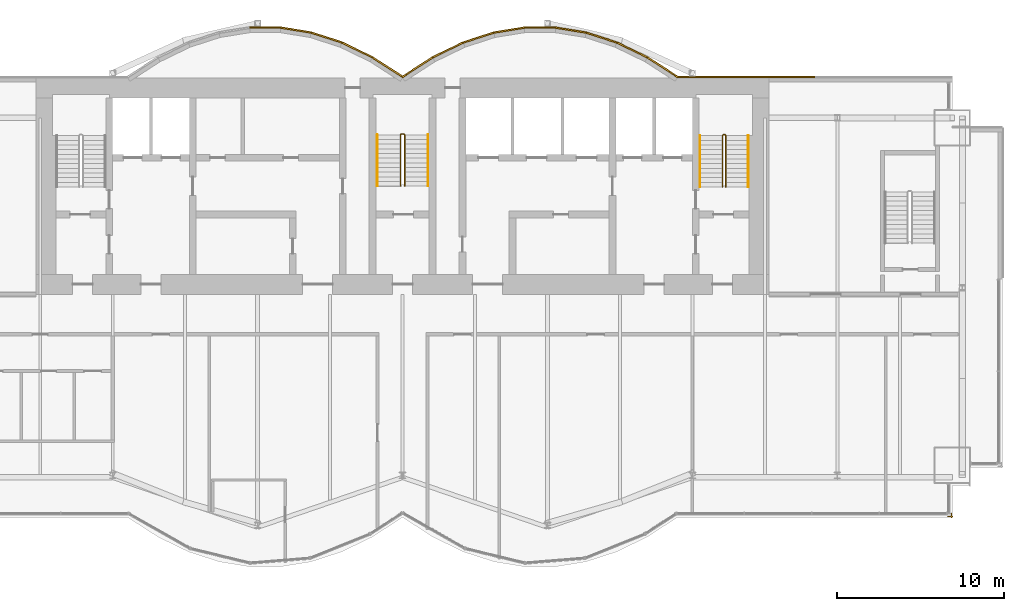
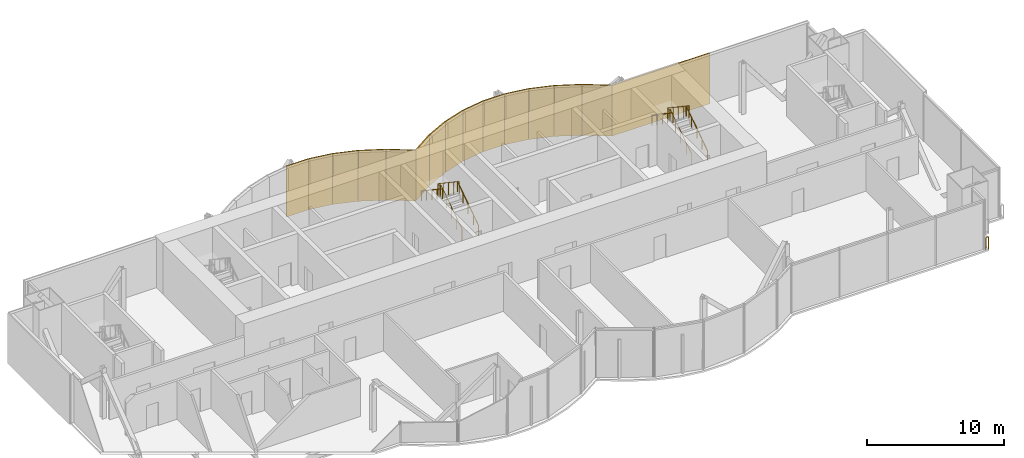
# One storey, part 17 of 18: 15 coverings, 7 railings.
"""IFC4 building model written with IfcOpenShell, lengths in metres."""

from ifc_helpers import new_model, si_unit, direction, frame, origin, origin_2d, place, context, subcontext, project, spatial, rectangle, circle, extrude, material, layer, layer_set, type_object, element, save


model = new_model("IFC4")

# Units and contexts
model_context = context("Model", 3, precision=1e-05, world=origin(), true_north=direction((0.0, 1.0)))
body_context = subcontext(model_context, "Body", "Model", "MODEL_VIEW")
ifc_project = project(units=[si_unit("LENGTHUNIT", "METRE"), si_unit("AREAUNIT", "SQUARE_METRE"), si_unit("VOLUMEUNIT", "CUBIC_METRE"), si_unit("PLANEANGLEUNIT", "RADIAN"), si_unit("MASSUNIT", "GRAM", prefix="KILO")], contexts=[model_context])

# Site, building, storey
site_placement = place(None, origin())
site = spatial("IfcSite", under=ifc_project, at=site_placement, CompositionType="ELEMENT")
building_placement = place(site_placement, origin())
building = spatial("IfcBuilding", under=site, at=building_placement, Name="Bicima Exchange Tower", CompositionType="ELEMENT")
storey_placement = place(building_placement, frame((0.0, 0.0, 311.0)))
storey = spatial("IfcBuildingStorey", under=building, at=storey_placement, Name="L70", CompositionType="ELEMENT", Elevation=311.0)

# Coverings
ifc_material_1 = material(Name="Bronze metal cladding")
ifc_layer_1 = layer(ifc_material_1, 0.004)
ifc_material_2 = material(Name="Ventilated cavity")
ifc_layer_2 = layer(ifc_material_2, 0.06)
ifc_material_3 = material(Name="Galvanised steel rail and mineral wool", Category="steel")
ifc_layer_3 = layer(ifc_material_3, 0.036)
ifc_layer_set = layer_set([ifc_layer_1, ifc_layer_2, ifc_layer_3], Name="Ventilated cavity")
covering_type = type_object("IfcCoveringType", Name="Bronze metal cladding panel 100", PredefinedType="CLADDING", material=ifc_layer_set)
covering_1_placement = place(storey_placement, frame((20.625, 0.050048828125, -0.14990234375), z_axis=(0.0, 0.0, 1.0), x_axis=(-1.0, 0.0, 0.0)))
element("IfcCovering", 1, at=covering_1_placement, inside=storey, type_object=covering_type, Name="Bronze cladding L70 1.2", PredefinedType="CLADDING", context=body_context, shape_type="SweptSolid", body=[
    extrude(rectangle(XDim=8.25, YDim=0.10009765625, at=origin_2d()), origin(), (0.0, 0.0, 1.0), 4.5),
])
covering_2_placement = place(storey_placement, frame((15.610595703125, 0.634521484375, -0.14990234375), z_axis=(0.0, 0.0, 1.0), x_axis=(-0.839790466384, 0.542910648791, 0.0)))
element("IfcCovering", 2, at=covering_2_placement, inside=storey, type_object=covering_type, Name="Bronze cladding L70 2.1", PredefinedType="CLADDING", context=body_context, shape_type="SweptSolid", body=[
    extrude(rectangle(XDim=2.18310546875, YDim=0.10009765625, at=origin_2d()), origin(), (0.0, 0.0, 1.0), 4.5),
])
covering_3_placement = place(storey_placement, frame((13.771728515625, 1.674560546875, -0.14990234375), z_axis=(0.0, 0.0, 1.0), x_axis=(-0.899818346812, 0.436264762204, 0.0)))
element("IfcCovering", 3, at=covering_3_placement, inside=storey, type_object=covering_type, Name="Bronze cladding L70 3.1", PredefinedType="CLADDING", context=body_context, shape_type="SweptSolid", body=[
    extrude(rectangle(XDim=2.03759765625, YDim=0.10009765625, at=origin_2d()), origin(), (0.0, 0.0, 1.0), 4.5),
])
covering_4_placement = place(storey_placement, frame((11.931884765625, 2.41796875, -0.14990234375), z_axis=(0.0, 0.0, 1.0), x_axis=(-0.951524642381, 0.307572519808, 0.0)))
element("IfcCovering", 4, at=covering_4_placement, inside=storey, type_object=covering_type, Name="Bronze cladding L70 4.1", PredefinedType="CLADDING", context=body_context, shape_type="SweptSolid", body=[
    extrude(rectangle(XDim=1.9267578125, YDim=0.10009765625, at=origin_2d()), origin(), (0.0, 0.0, 1.0), 4.5),
])
covering_5_placement = place(storey_placement, frame((10.09130859375, 2.8642578125, -0.14990234375), z_axis=(0.0, 0.0, 1.0), x_axis=(-0.987189786347, 0.159550386184, 0.0)))
element("IfcCovering", 5, at=covering_5_placement, inside=storey, type_object=covering_type, Name="Bronze cladding L70 5.1", PredefinedType="CLADDING", context=body_context, shape_type="SweptSolid", body=[
    extrude(rectangle(XDim=1.857177734375, YDim=0.10009765625, at=origin_2d()), origin(), (0.0, 0.0, 1.0), 4.5),
])
covering_6_placement = place(storey_placement, frame((8.25, 3.012939453125, -0.14990234375), z_axis=(0.0, 0.0, 1.0), x_axis=(-1.0, 0.0, 0.0)))
element("IfcCovering", 6, at=covering_6_placement, inside=storey, type_object=covering_type, Name="Bronze cladding L70 6.1", PredefinedType="CLADDING", context=body_context, shape_type="SweptSolid", body=[
    extrude(rectangle(XDim=1.83349609375, YDim=0.10009765625, at=origin_2d()), origin(), (0.0, 0.0, 1.0), 4.5),
])
covering_7_placement = place(storey_placement, frame((6.40869140625, 2.8642578125, -0.14990234375), z_axis=(0.0, 0.0, 1.0), x_axis=(-0.987189786347, -0.159550386184, 0.0)))
element("IfcCovering", 7, at=covering_7_placement, inside=storey, type_object=covering_type, Name="Bronze cladding L70 7.1", PredefinedType="CLADDING", context=body_context, shape_type="SweptSolid", body=[
    extrude(rectangle(XDim=1.857177734375, YDim=0.10009765625, at=origin_2d()), origin(), (0.0, 0.0, 1.0), 4.5),
])
covering_8_placement = place(storey_placement, frame((4.568115234375, 2.41796875, -0.14990234375), z_axis=(0.0, 0.0, 1.0), x_axis=(-0.951524642381, -0.307572519808, 0.0)))
element("IfcCovering", 8, at=covering_8_placement, inside=storey, type_object=covering_type, Name="Bronze cladding L70 8.1", PredefinedType="CLADDING", context=body_context, shape_type="SweptSolid", body=[
    extrude(rectangle(XDim=1.9267578125, YDim=0.10009765625, at=origin_2d()), origin(), (0.0, 0.0, 1.0), 4.5),
])
covering_9_placement = place(storey_placement, frame((2.728271484375, 1.674560546875, -0.14990234375), z_axis=(0.0, 0.0, 1.0), x_axis=(-0.899818346812, -0.436264762204, 0.0)))
element("IfcCovering", 9, at=covering_9_placement, inside=storey, type_object=covering_type, Name="Bronze cladding L70 9.1", PredefinedType="CLADDING", context=body_context, shape_type="SweptSolid", body=[
    extrude(rectangle(XDim=2.03759765625, YDim=0.10009765625, at=origin_2d()), origin(), (0.0, 0.0, 1.0), 4.5),
])
for number, where, z_axis, x_axis, name in (
    (10, (0.889404296875, 0.634521484375, -0.14990234375), (0.0, 0.0, 1.0), (-0.839790466384, -0.542910648791, 0.0), "Bronze cladding L70 10.1"),
    (11, (-0.889404296875, 0.634521484375, -0.14990234375), (0.0, 0.0, 1.0), (-0.839790466384, 0.542910648791, 0.0), "Bronze cladding L70 11.1"),
):
    element("IfcCovering", number, at=place(storey_placement, frame(where, z_axis=z_axis, x_axis=x_axis)), inside=storey, type_object=covering_type, Name=name, PredefinedType="CLADDING", context=body_context, shape_type="SweptSolid", body=[
        extrude(rectangle(XDim=2.18310546875, YDim=0.10009765625, at=origin_2d()), origin(), (0.0, 0.0, 1.0), 4.5),
    ])
covering_10_placement = place(storey_placement, frame((-2.728271484375, 1.674560546875, -0.14990234375), z_axis=(0.0, 0.0, 1.0), x_axis=(-0.899818346812, 0.436264762204, 0.0)))
element("IfcCovering", 12, at=covering_10_placement, inside=storey, type_object=covering_type, Name="Bronze cladding L70 12.1", PredefinedType="CLADDING", context=body_context, shape_type="SweptSolid", body=[
    extrude(rectangle(XDim=2.03759765625, YDim=0.10009765625, at=origin_2d()), origin(), (0.0, 0.0, 1.0), 4.5),
])
covering_11_placement = place(storey_placement, frame((-4.568115234375, 2.41796875, -0.14990234375), z_axis=(0.0, 0.0, 1.0), x_axis=(-0.951524642381, 0.307572519808, 0.0)))
element("IfcCovering", 13, at=covering_11_placement, inside=storey, type_object=covering_type, Name="Bronze cladding L70 13.1", PredefinedType="CLADDING", context=body_context, shape_type="SweptSolid", body=[
    extrude(rectangle(XDim=1.9267578125, YDim=0.10009765625, at=origin_2d()), origin(), (0.0, 0.0, 1.0), 4.5),
])
covering_12_placement = place(storey_placement, frame((-6.40869140625, 2.8642578125, -0.14990234375), z_axis=(0.0, 0.0, 1.0), x_axis=(-0.987189786347, 0.159550386184, 0.0)))
element("IfcCovering", 14, at=covering_12_placement, inside=storey, type_object=covering_type, Name="Bronze cladding L70 14.1", PredefinedType="CLADDING", context=body_context, shape_type="SweptSolid", body=[
    extrude(rectangle(XDim=1.857177734375, YDim=0.10009765625, at=origin_2d()), origin(), (0.0, 0.0, 1.0), 4.5),
])
covering_13_placement = place(storey_placement, frame((-8.25, 3.012939453125, -0.14990234375), z_axis=(0.0, 0.0, 1.0), x_axis=(-1.0, 0.0, 0.0)))
element("IfcCovering", 15, at=covering_13_placement, inside=storey, type_object=covering_type, Name="Bronze cladding L70 15.1", PredefinedType="CLADDING", context=body_context, shape_type="SweptSolid", body=[
    extrude(rectangle(XDim=1.83349609375, YDim=0.10009765625, at=origin_2d()), origin(), (0.0, 0.0, 1.0), 4.5),
])

# Railings
ifc_material_4 = material(Name="Stainless steel and bonded safety glass", Category="steel")
railing_type_1 = type_object("IfcRailingType", Name="Edge guard 1100", PredefinedType="GUARDRAIL", material=ifc_material_4)
railing_1_placement = place(storey_placement, frame((32.949951171875, -26.14599609375, 0.0)))
element("IfcRailing", 16, at=railing_1_placement, inside=storey, type_object=railing_type_1, Name="Edge guard L70 364", PredefinedType="GUARDRAIL", context=body_context, shape_type="SweptSolid", body=[
    extrude(circle(Radius=0.02392578125, at=origin_2d()), frame((0.0, 0.0, 1.076171875), z_axis=(0.0, -1.0, 0.0), x_axis=(1.0, 0.0, 0.0)), (0.0, 0.0, 1.0), 0.238037109375),
    extrude(circle(Radius=0.02392578125, at=origin_2d()), frame((0.0, -0.238037109375, 1.076171875), z_axis=(0.707106781187, 0.707106781187, 0.0), x_axis=(-0.707106781187, 0.707106781187, 0.0)), (0.0, 0.0, 1.0), 0.07080078125),
    extrude(circle(Radius=0.02392578125, at=origin_2d()), frame((0.050048828125, -0.18798828125, 1.076171875), z_axis=(-1.0, 0.0, 0.0), x_axis=(0.0, -1.0, 0.0)), (0.0, 0.0, 1.0), 0.25),
    extrude(circle(Radius=0.02099609375, at=origin_2d()), origin(), (0.0, 0.0, 1.0), 1.052001953125),
    extrude(circle(Radius=0.02099609375, at=origin_2d()), frame((0.0, -0.238037109375, 0.0)), (0.0, 0.0, 1.0), 1.052001953125),
    extrude(circle(Radius=0.02099609375, at=origin_2d()), frame((0.050048828125, -0.18798828125, 0.0)), (0.0, 0.0, 1.0), 1.052001953125),
    extrude(circle(Radius=0.02099609375, at=origin_2d()), frame((-0.199951171875, -0.18798828125, 0.0)), (0.0, 0.0, 1.0), 1.052001953125),
])
ifc_material_5 = material(Name="Stainless steel", Category="steel")
railing_type_2 = type_object("IfcRailingType", Name="Stair guard 1100", PredefinedType="GUARDRAIL", material=ifc_material_5)
railing_2_placement = place(storey_placement, frame((0.125, -6.5, 0.1875)))
element("IfcRailing", 17, at=railing_2_placement, inside=storey, type_object=railing_type_2, Name="L70 ST-C stair guard 1", PredefinedType="GUARDRAIL", context=body_context, shape_type="SweptSolid", body=[
    extrude(circle(Radius=0.02392578125, at=origin_2d()), frame((0.0, 0.0, 1.076171875), z_axis=(0.0, 0.830913701846, 0.55640131208), x_axis=(-1.0, 0.0, 0.0)), (0.0, 0.0, 1.0), 3.706787109375),
    extrude(circle(Radius=0.02392578125, at=origin_2d()), frame((0.0, 3.080078125, 3.138671875), z_axis=(-0.708833529934, 0.705375805398, 0.0), x_axis=(-0.705375805398, -0.708833529934, 0.0)), (0.0, 0.0, 1.0), 0.070556640625),
    extrude(circle(Radius=0.02392578125, at=origin_2d()), frame((-0.050048828125, 3.1298828125, 3.138671875), z_axis=(-1.0, 0.0, 0.0), x_axis=(0.0, -1.0, 0.0)), (0.0, 0.0, 1.0), 0.14990234375),
    extrude(circle(Radius=0.02392578125, at=origin_2d()), frame((-0.199951171875, 3.1298828125, 3.138671875), z_axis=(-0.249802250048, -0.248583702486, 0.935844527007), x_axis=(0.705375805398, -0.708833529934, 0.0)), (0.0, 0.0, 1.0), 0.200439453125),
    extrude(circle(Radius=0.02392578125, at=origin_2d()), frame((-0.25, 3.080078125, 3.326171875), z_axis=(0.0, -0.830913701846, 0.55640131208), x_axis=(1.0, 0.0, 0.0)), (0.0, 0.0, 1.0), 3.706787109375),
    extrude(circle(Radius=0.02099609375, at=origin_2d()), origin(), (0.0, 0.0, 1.0), 1.052001953125),
    extrude(circle(Radius=0.02099609375, at=origin_2d()), frame((0.0, 0.77001953125, 0.515625)), (0.0, 0.0, 1.0), 1.052001953125),
    extrude(circle(Radius=0.02099609375, at=origin_2d()), frame((0.0, 1.5400390625, 1.03125)), (0.0, 0.0, 1.0), 1.052001953125),
    extrude(circle(Radius=0.02099609375, at=origin_2d()), frame((0.0, 2.31005859375, 1.546875)), (0.0, 0.0, 1.0), 1.052001953125),
    extrude(circle(Radius=0.02099609375, at=origin_2d()), frame((0.0, 3.080078125, 2.0625)), (0.0, 0.0, 1.0), 1.052001953125),
    extrude(circle(Radius=0.02099609375, at=origin_2d()), frame((-0.050048828125, 3.1298828125, 2.0625)), (0.0, 0.0, 1.0), 1.052001953125),
    extrude(circle(Radius=0.02099609375, at=origin_2d()), frame((-0.199951171875, 3.1298828125, 2.0625)), (0.0, 0.0, 1.0), 1.052001953125),
    extrude(circle(Radius=0.02099609375, at=origin_2d()), frame((-0.25, 3.080078125, 2.25)), (0.0, 0.0, 1.0), 1.052001953125),
    extrude(circle(Radius=0.02099609375, at=origin_2d()), frame((-0.25, 2.31005859375, 2.765625)), (0.0, 0.0, 1.0), 1.052001953125),
    extrude(circle(Radius=0.02099609375, at=origin_2d()), frame((-0.25, 1.5400390625, 3.28125)), (0.0, 0.0, 1.0), 1.052001953125),
    extrude(circle(Radius=0.02099609375, at=origin_2d()), frame((-0.25, 0.77001953125, 3.796875)), (0.0, 0.0, 1.0), 1.052001953125),
    extrude(circle(Radius=0.02099609375, at=origin_2d()), frame((-0.25, 0.0, 4.3125)), (0.0, 0.0, 1.0), 1.052001953125),
])
railing_3_placement = place(storey_placement, frame((19.39990234375, -6.550048828125, 0.1875)))
element("IfcRailing", 18, at=railing_3_placement, inside=storey, type_object=railing_type_2, Name="L70 ST-E stair guard 1", PredefinedType="GUARDRAIL", context=body_context, shape_type="SweptSolid", body=[
    extrude(circle(Radius=0.02392578125, at=origin_2d()), frame((0.0, 0.0, 1.076171875), z_axis=(0.0, 0.830913701846, 0.55640131208), x_axis=(-1.0, 0.0, 0.0)), (0.0, 0.0, 1.0), 3.706787109375),
    extrude(circle(Radius=0.02392578125, at=origin_2d()), frame((0.0, 3.080078125, 3.138671875), z_axis=(-0.705375805398, 0.708833529934, 0.0), x_axis=(-0.708833529934, -0.705375805398, 0.0)), (0.0, 0.0, 1.0), 0.070556640625),
    extrude(circle(Radius=0.02392578125, at=origin_2d()), frame((-0.0498046875, 3.130126953125, 3.138671875), z_axis=(-1.0, 0.0, 0.0), x_axis=(0.0, -1.0, 0.0)), (0.0, 0.0, 1.0), 0.10009765625),
    extrude(circle(Radius=0.02392578125, at=origin_2d()), frame((-0.14990234375, 3.130126953125, 3.138671875), z_axis=(-0.249726431254, -0.249726431254, 0.935560483917), x_axis=(0.707106781187, -0.707106781187, 0.0)), (0.0, 0.0, 1.0), 0.200439453125),
    extrude(circle(Radius=0.02392578125, at=origin_2d()), frame((-0.199951171875, 3.080078125, 3.326171875), z_axis=(0.0, -0.830913701846, 0.55640131208), x_axis=(1.0, 0.0, 0.0)), (0.0, 0.0, 1.0), 3.706787109375),
    extrude(circle(Radius=0.02099609375, at=origin_2d()), origin(), (0.0, 0.0, 1.0), 1.052001953125),
    extrude(circle(Radius=0.02099609375, at=origin_2d()), frame((0.0, 0.77001953125, 0.515625)), (0.0, 0.0, 1.0), 1.052001953125),
    extrude(circle(Radius=0.02099609375, at=origin_2d()), frame((0.0, 1.5400390625, 1.03125)), (0.0, 0.0, 1.0), 1.052001953125),
    extrude(circle(Radius=0.02099609375, at=origin_2d()), frame((0.0, 2.31005859375, 1.546875)), (0.0, 0.0, 1.0), 1.052001953125),
    extrude(circle(Radius=0.02099609375, at=origin_2d()), frame((0.0, 3.080078125, 2.0625)), (0.0, 0.0, 1.0), 1.052001953125),
    extrude(circle(Radius=0.02099609375, at=origin_2d()), frame((-0.0498046875, 3.130126953125, 2.0625)), (0.0, 0.0, 1.0), 1.052001953125),
    extrude(circle(Radius=0.02099609375, at=origin_2d()), frame((-0.14990234375, 3.130126953125, 2.0625)), (0.0, 0.0, 1.0), 1.052001953125),
    extrude(circle(Radius=0.02099609375, at=origin_2d()), frame((-0.199951171875, 3.080078125, 2.25)), (0.0, 0.0, 1.0), 1.052001953125),
    extrude(circle(Radius=0.02099609375, at=origin_2d()), frame((-0.199951171875, 2.31005859375, 2.765625)), (0.0, 0.0, 1.0), 1.052001953125),
    extrude(circle(Radius=0.02099609375, at=origin_2d()), frame((-0.199951171875, 1.5400390625, 3.28125)), (0.0, 0.0, 1.0), 1.052001953125),
    extrude(circle(Radius=0.02099609375, at=origin_2d()), frame((-0.199951171875, 0.77001953125, 3.796875)), (0.0, 0.0, 1.0), 1.052001953125),
    extrude(circle(Radius=0.02099609375, at=origin_2d()), frame((-0.199951171875, 0.0, 4.3125)), (0.0, 0.0, 1.0), 1.052001953125),
])
railing_type_3 = type_object("IfcRailingType", Name="Stair handrail 900", PredefinedType="HANDRAIL", material=ifc_material_5)
railing_4_placement = place(storey_placement, frame((1.52490234375, -6.5, 0.1875)))
element("IfcRailing", 19, at=railing_4_placement, inside=storey, type_object=railing_type_3, Name="L70 ST-C stair handrail 1", PredefinedType="HANDRAIL", context=body_context, shape_type="SweptSolid", body=[
    extrude(circle(Radius=0.02392578125, at=origin_2d()), frame((0.0, 0.0, 0.8759765625), z_axis=(0.0, 0.830913701846, 0.55640131208), x_axis=(-1.0, 0.0, 0.0)), (0.0, 0.0, 1.0), 3.706787109375),
    extrude(circle(Radius=0.02099609375, at=origin_2d()), origin(), (0.0, 0.0, 1.0), 0.851806640625),
    extrude(circle(Radius=0.02099609375, at=origin_2d()), frame((0.0, 0.77001953125, 0.515625)), (0.0, 0.0, 1.0), 0.851806640625),
    extrude(circle(Radius=0.02099609375, at=origin_2d()), frame((0.0, 1.5400390625, 1.03125)), (0.0, 0.0, 1.0), 0.851806640625),
    extrude(circle(Radius=0.02099609375, at=origin_2d()), frame((0.0, 2.31005859375, 1.546875)), (0.0, 0.0, 1.0), 0.851806640625),
    extrude(circle(Radius=0.02099609375, at=origin_2d()), frame((0.0, 3.080078125, 2.0625)), (0.0, 0.0, 1.0), 0.851806640625),
])
railing_5_placement = place(storey_placement, frame((-1.52490234375, -3.419921875, 2.47900390625)))
element("IfcRailing", 20, at=railing_5_placement, inside=storey, type_object=railing_type_3, Name="L70 ST-C stair handrail 2", PredefinedType="HANDRAIL", context=body_context, shape_type="SweptSolid", body=[
    extrude(circle(Radius=0.02392578125, at=origin_2d()), frame((0.0, 0.0, 0.8759765625), z_axis=(0.0, -0.830913701846, 0.55640131208), x_axis=(1.0, 0.0, 0.0)), (0.0, 0.0, 1.0), 3.706787109375),
    extrude(circle(Radius=0.02099609375, at=origin_2d()), origin(), (0.0, 0.0, 1.0), 0.851806640625),
    extrude(circle(Radius=0.02099609375, at=origin_2d()), frame((0.0, -0.77001953125, 0.515625)), (0.0, 0.0, 1.0), 0.851806640625),
    extrude(circle(Radius=0.02099609375, at=origin_2d()), frame((0.0, -1.5400390625, 1.03125)), (0.0, 0.0, 1.0), 0.851806640625),
    extrude(circle(Radius=0.02099609375, at=origin_2d()), frame((0.0, -2.31005859375, 1.546875)), (0.0, 0.0, 1.0), 0.851806640625),
    extrude(circle(Radius=0.02099609375, at=origin_2d()), frame((0.0, -3.080078125, 2.0625)), (0.0, 0.0, 1.0), 0.851806640625),
])
railing_6_placement = place(storey_placement, frame((20.75, -6.550048828125, 0.1875)))
element("IfcRailing", 21, at=railing_6_placement, inside=storey, type_object=railing_type_3, Name="L70 ST-E stair handrail 1", PredefinedType="HANDRAIL", context=body_context, shape_type="SweptSolid", body=[
    extrude(circle(Radius=0.02392578125, at=origin_2d()), frame((0.0, 0.0, 0.8759765625), z_axis=(0.0, 0.830913701846, 0.55640131208), x_axis=(-1.0, 0.0, 0.0)), (0.0, 0.0, 1.0), 3.706787109375),
    extrude(circle(Radius=0.02099609375, at=origin_2d()), origin(), (0.0, 0.0, 1.0), 0.851806640625),
    extrude(circle(Radius=0.02099609375, at=origin_2d()), frame((0.0, 0.77001953125, 0.515625)), (0.0, 0.0, 1.0), 0.851806640625),
    extrude(circle(Radius=0.02099609375, at=origin_2d()), frame((0.0, 1.5400390625, 1.03125)), (0.0, 0.0, 1.0), 0.851806640625),
    extrude(circle(Radius=0.02099609375, at=origin_2d()), frame((0.0, 2.31005859375, 1.546875)), (0.0, 0.0, 1.0), 0.851806640625),
    extrude(circle(Radius=0.02099609375, at=origin_2d()), frame((0.0, 3.080078125, 2.0625)), (0.0, 0.0, 1.0), 0.851806640625),
])
railing_7_placement = place(storey_placement, frame((17.85009765625, -3.469970703125, 2.47900390625)))
element("IfcRailing", 22, at=railing_7_placement, inside=storey, type_object=railing_type_3, Name="L70 ST-E stair handrail 2", PredefinedType="HANDRAIL", context=body_context, shape_type="SweptSolid", body=[
    extrude(circle(Radius=0.02392578125, at=origin_2d()), frame((0.0, 0.0, 0.8759765625), z_axis=(0.0, -0.830913701846, 0.55640131208), x_axis=(1.0, 0.0, 0.0)), (0.0, 0.0, 1.0), 3.706787109375),
    extrude(circle(Radius=0.02099609375, at=origin_2d()), origin(), (0.0, 0.0, 1.0), 0.851806640625),
    extrude(circle(Radius=0.02099609375, at=origin_2d()), frame((0.0, -0.77001953125, 0.515625)), (0.0, 0.0, 1.0), 0.851806640625),
    extrude(circle(Radius=0.02099609375, at=origin_2d()), frame((0.0, -1.5400390625, 1.03125)), (0.0, 0.0, 1.0), 0.851806640625),
    extrude(circle(Radius=0.02099609375, at=origin_2d()), frame((0.0, -2.31005859375, 1.546875)), (0.0, 0.0, 1.0), 0.851806640625),
    extrude(circle(Radius=0.02099609375, at=origin_2d()), frame((0.0, -3.080078125, 2.0625)), (0.0, 0.0, 1.0), 0.851806640625),
])

save(model, "model.ifc")
